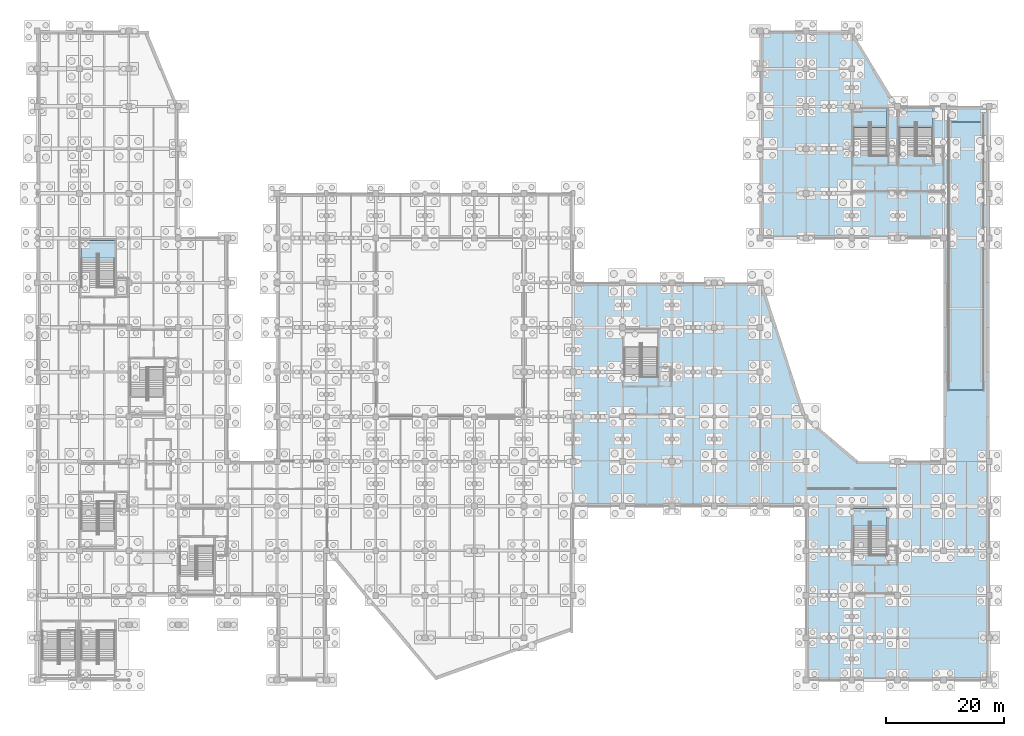
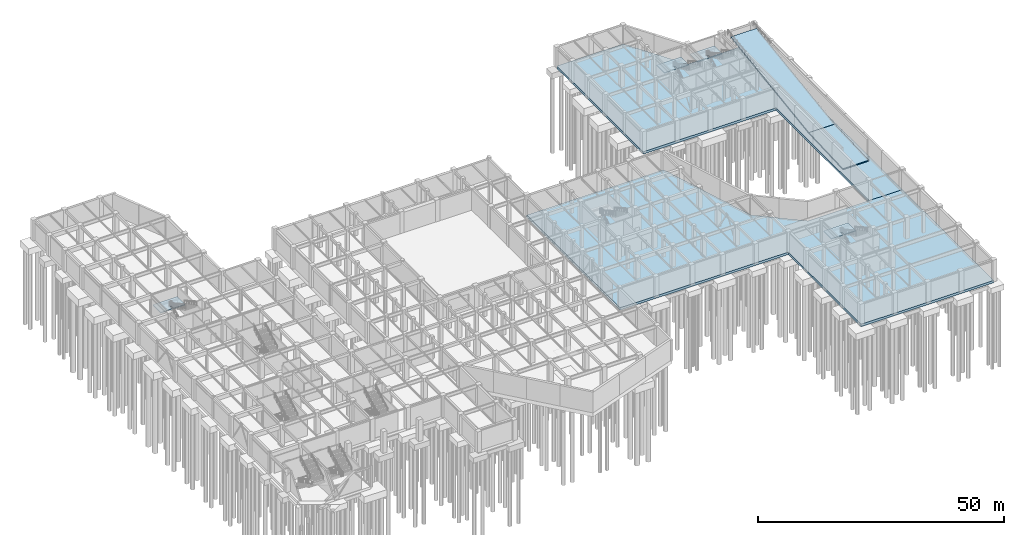
# One storey, part 34 of 52: 8 slabs, 4 elements without a shape of their own.
"""IFC4 building model written with IfcOpenShell, lengths in metres."""

from ifc_helpers import new_model, si_unit, direction, frame, origin, place, context, subcontext, project, spatial, polyline, outline, extrude, material, layer, layer_set, type_object, element, aggregate, save


model = new_model("IFC4")

# Units and contexts
model_context = context("Model", 3, precision=1e-05, world=origin(), true_north=direction((0.0, 1.0)))
body_context = subcontext(model_context, "Body", "Model", "MODEL_VIEW")
ifc_project = project(units=[si_unit("LENGTHUNIT", "METRE"), si_unit("AREAUNIT", "SQUARE_METRE"), si_unit("VOLUMEUNIT", "CUBIC_METRE"), si_unit("PLANEANGLEUNIT", "RADIAN"), si_unit("MASSUNIT", "GRAM", prefix="KILO")], contexts=[model_context])

# Site, building, storey
site_placement = place(None, origin())
site = spatial("IfcSite", under=ifc_project, at=site_placement, CompositionType="ELEMENT")
building_placement = place(site_placement, origin())
building = spatial("IfcBuilding", under=site, at=building_placement, Name="Xicomal Pleat Aquarium", CompositionType="ELEMENT")
storey_placement = place(building_placement, frame((0.0, 0.0, -5.39990234375)))
storey = spatial("IfcBuildingStorey", under=building, at=storey_placement, Name="B1", CompositionType="ELEMENT", Elevation=-5.39990234375)

# Stair, slab
ifc_material_1 = material(Name="Concrete C35/45", Category="concrete")
stair_type = type_object("IfcStairType", Name="STR-HT-5400-2400", PredefinedType="HALF_TURN_STAIR", material=ifc_material_1)
stair_1_placement = place(storey_placement, origin())
stair_1 = element("IfcStair", 1, at=stair_1_placement, inside=storey, type_object=stair_type, Name="ST-03 fire exit stair B1 to L01", PredefinedType="HALF_TURN_STAIR")
ifc_material_2 = material(Name="Concrete C35/45", Category="concrete")
ifc_layer_1 = layer(ifc_material_2, 0.195068359375)
ifc_layer_set_1 = layer_set([ifc_layer_1], Name="Concrete C35/45")
slab_type_1 = type_object("IfcSlabType", Name="SLB-LND-195", PredefinedType="LANDING", material=ifc_layer_set_1)
slab_1_placement = place(storey_placement, frame((0.0, 0.0, 2.5048828125)))
slab_1 = element("IfcSlab", 2, at=slab_1_placement, type_object=slab_type_1, Name="ST-03 landing 1", PredefinedType="LANDING", context=body_context, shape_type="SweptSolid", body=[
    extrude(outline(polyline([(10.43994140625, 75.60009765625), (16.219970703125, 75.60009765625), (16.219970703125, 72.389892578125), (13.47998046875, 72.389892578125), (13.47998046875, 73.300048828125), (13.179931640625, 73.300048828125), (13.179931640625, 72.389892578125), (10.43994140625, 72.389892578125), (10.43994140625, 75.60009765625)])), origin(), (0.0, 0.0, 1.0), 0.195068359375),
])
aggregate(stair_1, [slab_1])

stair_2_placement = place(storey_placement, origin())
stair_2 = element("IfcStair", 3, at=stair_2_placement, inside=storey, type_object=stair_type, Name="ST-05 fire exit stair B1 to L01", PredefinedType="HALF_TURN_STAIR")
slab_2_placement = place(storey_placement, frame((0.0, 0.0, 2.5048828125)))
slab_2 = element("IfcSlab", 4, at=slab_2_placement, type_object=slab_type_1, Name="ST-05 landing 1", PredefinedType="LANDING", context=body_context, shape_type="SweptSolid", body=[
    extrude(outline(polyline([(141.840087890625, 98.0), (147.6201171875, 98.0), (147.6201171875, 94.7900390625), (144.8798828125, 94.7900390625), (144.8798828125, 95.699951171875), (144.580078125, 95.699951171875), (144.580078125, 94.7900390625), (141.840087890625, 94.7900390625), (141.840087890625, 98.0)])), origin(), (0.0, 0.0, 1.0), 0.195068359375),
])
aggregate(stair_2, [slab_2])

stair_3_placement = place(storey_placement, origin())
stair_3 = element("IfcStair", 5, at=stair_3_placement, inside=storey, type_object=stair_type, Name="ST-06 fire exit stair B1 to L01", PredefinedType="HALF_TURN_STAIR")
slab_3_placement = place(storey_placement, frame((0.0, 0.0, 2.5048828125)))
slab_3 = element("IfcSlab", 6, at=slab_3_placement, type_object=slab_type_1, Name="ST-06 landing 1", PredefinedType="LANDING", context=body_context, shape_type="SweptSolid", body=[
    extrude(outline(polyline([(149.639892578125, 98.0), (155.419921875, 98.0), (155.419921875, 94.7900390625), (152.679931640625, 94.7900390625), (152.679931640625, 95.699951171875), (152.3798828125, 95.699951171875), (152.3798828125, 94.7900390625), (149.639892578125, 94.7900390625), (149.639892578125, 98.0)])), origin(), (0.0, 0.0, 1.0), 0.195068359375),
])
aggregate(stair_3, [slab_3])

stair_4_placement = place(storey_placement, origin())
stair_4 = element("IfcStair", 7, at=stair_4_placement, inside=storey, type_object=stair_type, Name="ST-08 fire exit stair B1 to L01", PredefinedType="HALF_TURN_STAIR")
slab_4_placement = place(storey_placement, frame((0.0, 0.0, 2.5048828125)))
slab_4 = element("IfcSlab", 8, at=slab_4_placement, type_object=slab_type_1, Name="ST-08 landing 1", PredefinedType="LANDING", context=body_context, shape_type="SweptSolid", body=[
    extrude(outline(polyline([(141.840087890625, 30.0), (147.6201171875, 30.0), (147.6201171875, 26.7900390625), (144.8798828125, 26.7900390625), (144.8798828125, 27.699951171875), (144.580078125, 27.699951171875), (144.580078125, 26.7900390625), (141.840087890625, 26.7900390625), (141.840087890625, 30.0)])), origin(), (0.0, 0.0, 1.0), 0.195068359375),
])
aggregate(stair_4, [slab_4])

# Slabs
ifc_material_3 = material(Name="Concrete C40/50", Category="concrete")
ifc_layer_2 = layer(ifc_material_3, 0.60009765625)
ifc_layer_set_2 = layer_set([ifc_layer_2], Name="Concrete C40/50")
slab_type_2 = type_object("IfcSlabType", Name="SLB-MAT-600", PredefinedType="BASESLAB", material=ifc_layer_set_2)
slab_5_placement = place(storey_placement, frame((0.0, 0.0, -0.60009765625)))
element("IfcSlab", 9, at=slab_5_placement, inside=storey, type_object=slab_type_2, Name="B1 structural slab V4", PredefinedType="BASESLAB", context=body_context, shape_type="SweptSolid", body=[
    extrude(outline(polyline([(126.39990234375, 68.39990234375), (133.800048828125, 45.60009765625), (142.800048828125, 38.0), (165.0, 38.0), (165.0, 0.800048828125), (133.800048828125, 0.800048828125), (133.800048828125, 30.39990234375), (94.199951171875, 30.39990234375), (94.199951171875, 68.39990234375), (126.39990234375, 68.39990234375)])), origin(), (0.0, 0.0, 1.0), 0.60009765625),
])
slab_6_placement = place(storey_placement, frame((0.0, 0.0, -0.60009765625)))
element("IfcSlab", 10, at=slab_6_placement, inside=storey, type_object=slab_type_2, Name="B1 structural slab V7", PredefinedType="BASESLAB", context=body_context, shape_type="SweptSolid", body=[
    extrude(outline(polyline([(157.199951171875, 76.0), (126.0, 76.0), (126.0, 111.199951171875), (141.60009765625, 111.199951171875), (149.39990234375, 98.39990234375), (165.0, 98.39990234375), (165.0, 38.0), (157.199951171875, 38.0), (157.199951171875, 76.0)])), origin(), (0.0, 0.0, 1.0), 0.60009765625),
])
ifc_material_4 = material(Name="Concrete C40/50", Category="concrete")
ifc_layer_3 = layer(ifc_material_4, 0.260009765625)
ifc_layer_set_3 = layer_set([ifc_layer_3], Name="Concrete C40/50")
slab_type_3 = type_object("IfcSlabType", Name="SLB-RAMP-260", PredefinedType="USERDEFINED", material=ifc_layer_set_3)
slab_7_placement = place(storey_placement, frame((158.02001953125, 50.1201171875, 0.27001953125), z_axis=(0.0, -0.04107856115, 0.999155919671), x_axis=(1.0, 0.0, 0.0)))
element("IfcSlab", 11, at=slab_7_placement, inside=storey, type_object=slab_type_3, Name="East street two-way car park vehicle ramp slab SL-B1-VRMP-BOT", ObjectType="RAMP SLAB", PredefinedType="USERDEFINED", context=body_context, shape_type="SweptSolid", body=[
    extrude(outline(polyline([(0.0, 0.0), (6.06005859375, 0.0), (6.06005859375, 13.87157200230803), (0.0, 13.87157200230803), (0.0, 0.0)])), origin(), (0.0, 0.0, -1.0), 0.260009765625),
])
slab_8_placement = place(storey_placement, frame((158.02001953125, 64.02001953125, 0.83984375), z_axis=(0.0, -0.142252981325, 0.989830333595), x_axis=(1.0, 0.0, 0.0)))
element("IfcSlab", 12, at=slab_8_placement, inside=storey, type_object=slab_type_3, Name="East street two-way car park vehicle ramp slab SL-B1-VRMP-MAIN", ObjectType="RAMP SLAB", PredefinedType="USERDEFINED", context=body_context, shape_type="SweptSolid", body=[
    extrude(outline(polyline([(0.0, 0.0), (6.06005859375, 0.0), (6.06005859375, 32.055979082313016), (0.0, 32.055979082313016), (0.0, 0.0)])), origin(), (0.0, 0.0, -1.0), 0.260009765625),
])

save(model, "model.ifc")
